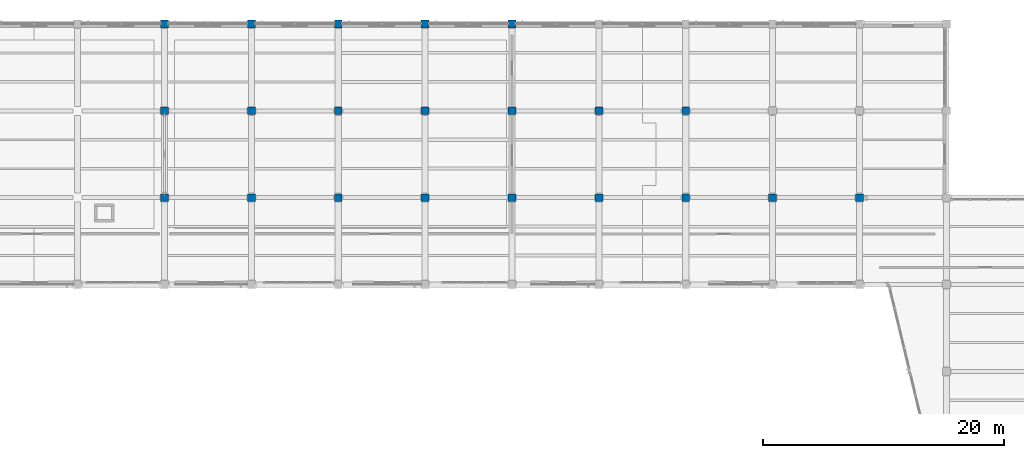
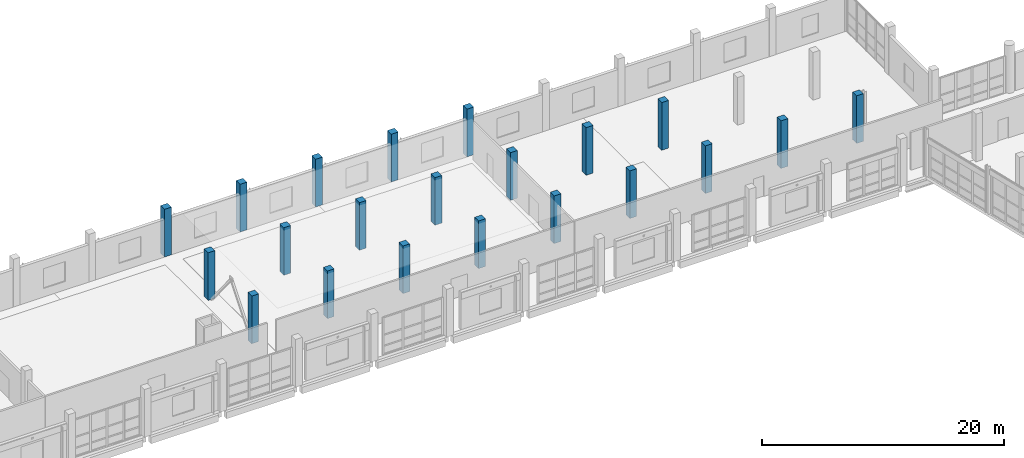
# One storey, part 7 of 127: 21 columns.
"""IFC4 building model written with IfcOpenShell, lengths in metres."""

from ifc_helpers import new_model, si_unit, direction, frame, origin, origin_2d, place, context, subcontext, project, spatial, rectangle, extrude, material, material_profile, profile_set, type_object, element, save


model = new_model("IFC4")

# Units and contexts
model_context = context("Model", 3, precision=1e-05, world=origin(), true_north=direction((0.0, 1.0)))
body_context = subcontext(model_context, "Body", "Model", "MODEL_VIEW")
ifc_project = project(units=[si_unit("LENGTHUNIT", "METRE"), si_unit("AREAUNIT", "SQUARE_METRE"), si_unit("VOLUMEUNIT", "CUBIC_METRE"), si_unit("PLANEANGLEUNIT", "RADIAN"), si_unit("MASSUNIT", "GRAM", prefix="KILO")], contexts=[model_context])

# Site, building, storey
site_placement = place(None, origin())
site = spatial("IfcSite", under=ifc_project, at=site_placement, CompositionType="ELEMENT")
building_placement = place(site_placement, origin())
building = spatial("IfcBuilding", under=site, at=building_placement, Name="Kalmorath City Hall", CompositionType="ELEMENT")
storey_placement = place(building_placement, frame((0.0, 0.0, 5.39990234375)))
storey = spatial("IfcBuildingStorey", under=building, at=storey_placement, Name="L01", CompositionType="ELEMENT", Elevation=5.39990234375)

# Columns
ifc_material = material(Name="Concrete C50/60", Category="concrete")
ifc_material_profile = material_profile(ifc_material, rectangle(XDim=0.64990234375, YDim=0.64990234375, at=origin_2d()), Name="RC-COL-650X650")
ifc_profile_set = profile_set([ifc_material_profile], Name="Concrete C50/60")
column_type = type_object("IfcColumnType", Name="Concrete column 650x650", PredefinedType="COLUMN", material=ifc_profile_set)
for number, where, z_axis, x_axis, name in (
    (1, (64.800048828125, 100.800048828125, 0.0), (0.0, 0.0, 1.0), (1.0, 0.0, 0.0), "L01 column C5 (10/15)"),
    (2, (64.800048828125, 108.0, 0.0), (0.0, 0.0, 1.0), (1.0, 0.0, 0.0), "L01 column C5 (10/16)"),
    (3, (64.800048828125, 115.199951171875, 0.0), (0.0, 0.0, 1.0), (1.0, 0.0, 0.0), "L01 column C5 (10/17)"),
    (4, (72.0, 100.800048828125, 0.0), (0.0, 0.0, 1.0), (1.0, 0.0, 0.0), "L01 column C5 (11/15)"),
    (5, (72.0, 108.0, 0.0), (0.0, 0.0, 1.0), (1.0, 0.0, 0.0), "L01 column C5 (11/16)"),
    (6, (72.0, 115.199951171875, 0.0), (0.0, 0.0, 1.0), (1.0, 0.0, 0.0), "L01 column C5 (11/17)"),
    (7, (79.199951171875, 100.800048828125, 0.0), (0.0, 0.0, 1.0), (1.0, 0.0, 0.0), "L01 column C5 (12/15)"),
    (8, (79.199951171875, 108.0, 0.0), (0.0, 0.0, 1.0), (1.0, 0.0, 0.0), "L01 column C5 (12/16)"),
    (9, (79.199951171875, 115.199951171875, 0.0), (0.0, 0.0, 1.0), (1.0, 0.0, 0.0), "L01 column C5 (12/17)"),
    (10, (86.39990234375, 100.800048828125, 0.0), (0.0, 0.0, 1.0), (1.0, 0.0, 0.0), "L01 column C5 (13/15)"),
    (11, (86.39990234375, 108.0, 0.0), (0.0, 0.0, 1.0), (1.0, 0.0, 0.0), "L01 column C5 (13/16)"),
    (12, (86.39990234375, 115.199951171875, 0.0), (0.0, 0.0, 1.0), (1.0, 0.0, 0.0), "L01 column C5 (13/17)"),
    (13, (93.60009765625, 100.800048828125, 0.0), (0.0, 0.0, 1.0), (1.0, 0.0, 0.0), "L01 column C5 (14/15)"),
    (14, (93.60009765625, 108.0, 0.0), (0.0, 0.0, 1.0), (1.0, 0.0, 0.0), "L01 column C5 (14/16)"),
    (15, (93.60009765625, 115.199951171875, 0.0), (0.0, 0.0, 1.0), (1.0, 0.0, 0.0), "L01 column C5 (14/17)"),
    (16, (100.800048828125, 100.800048828125, 0.0), (0.0, 0.0, 1.0), (1.0, 0.0, 0.0), "L01 column C5 (15/15)"),
    (17, (100.800048828125, 108.0, 0.0), (0.0, 0.0, 1.0), (1.0, 0.0, 0.0), "L01 column C5 (15/16)"),
    (18, (108.0, 100.800048828125, 0.0), (0.0, 0.0, 1.0), (1.0, 0.0, 0.0), "L01 column C5 (16/15)"),
    (19, (108.0, 108.0, 0.0), (0.0, 0.0, 1.0), (1.0, 0.0, 0.0), "L01 column C5 (16/16)"),
    (20, (115.199951171875, 100.800048828125, 0.0), (0.0, 0.0, 1.0), (1.0, 0.0, 0.0), "L01 column C5 (17/15)"),
    (21, (122.39990234375, 100.800048828125, 0.0), (0.0, 0.0, 1.0), (1.0, 0.0, 0.0), "L01 column C5 (18/15)"),
):
    element("IfcColumn", number, at=place(storey_placement, frame(where, z_axis=z_axis, x_axis=x_axis)), inside=storey, type_object=column_type, Name=name, PredefinedType="COLUMN", context=body_context, shape_type="SweptSolid", body=[
        extrude(rectangle(XDim=0.64990234375, YDim=0.64990234375, at=origin_2d()), origin(), (0.0, 0.0, 1.0), 4.800048828125),
    ])

save(model, "model.ifc")
